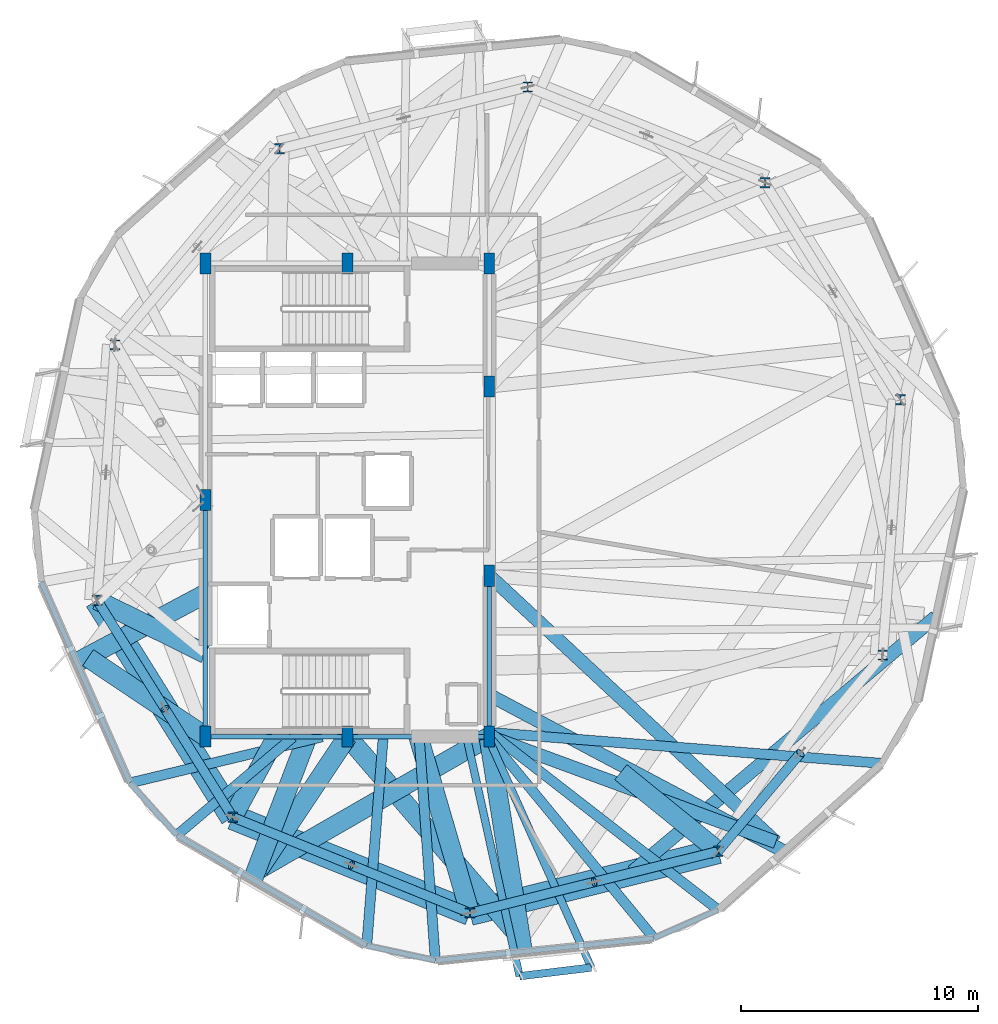
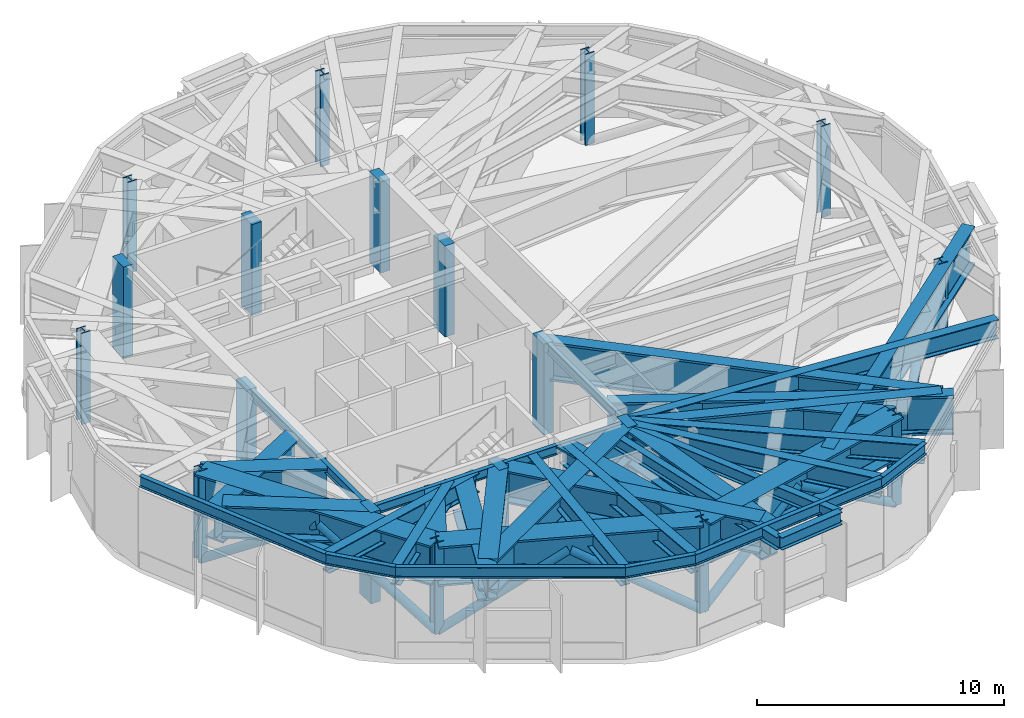
# One storey, part 1 of 14: 38 beams, 19 columns, 7 members.
"""IFC4 building model written with IfcOpenShell, lengths in metres."""

from ifc_helpers import new_model, si_unit, direction, frame, origin, origin_2d, place, context, subcontext, project, spatial, rectangle, hollow_circle, i_section, extrude, material, material_profile, profile_set, type_object, element, save


model = new_model("IFC4")

# Units and contexts
model_context = context("Model", 3, precision=1e-05, world=origin(), true_north=direction((0.0, 1.0)))
body_context = subcontext(model_context, "Body", "Model", "MODEL_VIEW")
ifc_project = project(units=[si_unit("LENGTHUNIT", "METRE"), si_unit("AREAUNIT", "SQUARE_METRE"), si_unit("VOLUMEUNIT", "CUBIC_METRE"), si_unit("PLANEANGLEUNIT", "RADIAN"), si_unit("MASSUNIT", "GRAM", prefix="KILO")], contexts=[model_context])

# Site, building, storey
site_placement = place(None, origin())
site = spatial("IfcSite", under=ifc_project, at=site_placement, CompositionType="ELEMENT")
building_placement = place(site_placement, origin())
building = spatial("IfcBuilding", under=site, at=building_placement, Name="Soratama Intermodal Tower", CompositionType="ELEMENT")
storey_placement = place(building_placement, frame((0.0, 0.0, 185.800048828125)))
storey = spatial("IfcBuildingStorey", under=building, at=storey_placement, Name="L46", CompositionType="ELEMENT", Elevation=185.800048828125)

# Columns
ifc_material_1 = material(Name="Structural steel ASTM A992 Grade 50", Category="steel")
ifc_material_profile_1 = material_profile(ifc_material_1, i_section(OverallWidth=0.412109375, OverallDepth=0.43505859375, WebThickness=0.035888671875, FlangeThickness=0.057373046875, FilletRadius=0.0380859375, at=origin_2d()), Name="W14X311")
ifc_profile_set_1 = profile_set([ifc_material_profile_1], Name="Structural steel ASTM A992 Grade 50")
column_type_1 = type_object("IfcColumnType", Name="COL-ZC-W14X311", PredefinedType="COLUMN", material=ifc_profile_set_1)
for number, where, z_axis, x_axis, name in (
    (1, (61.980224609375, 29.233642578125, 0.0), (0.0, 0.0, 1.0), (1.0, 0.0, 0.0), "L46 Tower Ring Column R01"),
    (2, (56.248779296875, 38.40576171875, 0.0), (0.0, 0.0, 1.0), (1.0, 0.0, 0.0), "L46 Tower Ring Column R02"),
    (3, (46.220703125, 42.45751953125, 0.0), (0.0, 0.0, 1.0), (1.0, 0.0, 0.0), "L46 Tower Ring Column R03"),
    (4, (35.726318359375, 39.8408203125, 0.0), (0.0, 0.0, 1.0), (1.0, 0.0, 0.0), "L46 Tower Ring Column R04"),
    (5, (28.7744140625, 31.5556640625, 0.0), (0.0, 0.0, 1.0), (1.0, 0.0, 0.0), "L46 Tower Ring Column R05"),
    (6, (28.019775390625, 20.766357421875, 0.0), (0.0, 0.0, 1.0), (1.0, 0.0, 0.0), "L46 Tower Ring Column R06"),
    (7, (33.751220703125, 11.59423828125, 0.0), (0.0, 0.0, 1.0), (1.0, 0.0, 0.0), "L46 Tower Ring Column R07"),
    (8, (43.779296875, 7.54248046875, 0.0), (0.0, 0.0, 1.0), (1.0, 0.0, 0.0), "L46 Tower Ring Column R08"),
    (9, (54.273681640625, 10.1591796875, 0.0), (0.0, 0.0, 1.0), (1.0, 0.0, 0.0), "L46 Tower Ring Column R09"),
    (10, (61.2255859375, 18.4443359375, 0.0), (0.0, 0.0, 1.0), (1.0, 0.0, 0.0), "L46 Tower Ring Column R10"),
):
    element("IfcColumn", number, at=place(storey_placement, frame(where, z_axis=z_axis, x_axis=x_axis)), inside=storey, type_object=column_type_1, Name=name, PredefinedType="COLUMN", context=body_context, shape_type="SweptSolid", body=[
        extrude(i_section(OverallWidth=0.412109375, OverallDepth=0.43505859375, WebThickness=0.035888671875, FlangeThickness=0.057373046875, FilletRadius=0.0380859375, at=origin_2d()), origin(), (0.0, 0.0, 1.0), 4.5),
    ])
ifc_material_2 = material(Name="Concrete f'c 56 MPa", Category="concrete")
ifc_material_profile_2 = material_profile(ifc_material_2, rectangle(XDim=0.449951171875, YDim=0.89990234375, at=origin_2d()), Name="RC450X900")
ifc_profile_set_2 = profile_set([ifc_material_profile_2], Name="Concrete f'c 56 MPa")
column_type_2 = type_object("IfcColumnType", Name="PIL-CORE-450X900", PredefinedType="PILASTER", material=ifc_profile_set_2)
for number, where, z_axis, x_axis, name in (
    (11, (32.60009765625, 15.0, 0.0), (0.0, 0.0, 1.0), (1.0, 0.0, 0.0), "L46 Core Pilaster 1"),
    (12, (32.60009765625, 25.0, 0.0), (0.0, 0.0, 1.0), (1.0, 0.0, 0.0), "L46 Core Pilaster 2"),
    (13, (32.60009765625, 35.0, 0.0), (0.0, 0.0, 1.0), (1.0, 0.0, 0.0), "L46 Core Pilaster 3"),
    (14, (38.60009765625, 15.0, 0.0), (0.0, 0.0, 1.0), (1.0, 0.0, 0.0), "L46 Core Pilaster 4"),
    (15, (38.60009765625, 35.0, 0.0), (0.0, 0.0, 1.0), (1.0, 0.0, 0.0), "L46 Core Pilaster 5"),
    (16, (44.60009765625, 15.0, 0.0), (0.0, 0.0, 1.0), (1.0, 0.0, 0.0), "L46 Core Pilaster 6"),
    (17, (44.60009765625, 21.800048828125, 0.0), (0.0, 0.0, 1.0), (1.0, 0.0, 0.0), "L46 Core Pilaster 7"),
    (18, (44.60009765625, 29.800048828125, 0.0), (0.0, 0.0, 1.0), (1.0, 0.0, 0.0), "L46 Core Pilaster 8"),
    (19, (44.60009765625, 35.0, 0.0), (0.0, 0.0, 1.0), (1.0, 0.0, 0.0), "L46 Core Pilaster 9"),
):
    element("IfcColumn", number, at=place(storey_placement, frame(where, z_axis=z_axis, x_axis=x_axis)), inside=storey, type_object=column_type_2, Name=name, PredefinedType="PILASTER", context=body_context, shape_type="SweptSolid", body=[
        extrude(rectangle(XDim=0.449951171875, YDim=0.89990234375, at=origin_2d()), origin(), (0.0, 0.0, 1.0), 4.5),
    ])

# Beams
ifc_material_3 = material(Name="Structural steel ASTM A992 Grade 50", Category="steel")
ifc_material_profile_3 = material_profile(ifc_material_3, i_section(OverallWidth=0.324951171875, OverallDepth=0.615966796875, WebThickness=0.013916015625, FlangeThickness=0.021484375, FilletRadius=0.013916015625, at=origin_2d()), Name="W24X117")
ifc_profile_set_3 = profile_set([ifc_material_profile_3], Name="Structural steel ASTM A992 Grade 50")
beam_type_1 = type_object("IfcBeamType", Name="BM-CANT-W24X117", PredefinedType="BEAM", material=ifc_profile_set_3)
beam_1_placement = place(storey_placement, frame((45.876953125, 4.873046875, 4.19189453125), z_axis=(0.992865481338, 0.119239825427, 0.0), x_axis=(-0.119239825427, 0.992865481338, 0.0)))
element("IfcBeam", 20, at=beam_1_placement, inside=storey, type_object=beam_type_1, Name="BM-L46-CBHDR-4", PredefinedType="BEAM", context=body_context, shape_type="SweptSolid", body=[
    extrude(i_section(OverallWidth=0.324951171875, OverallDepth=0.615966796875, WebThickness=0.013916015625, FlangeThickness=0.021484375, FilletRadius=0.013916015625, at=origin_2d()), origin(), (0.0, 0.0, 1.0), 3.052734375),
])
beam_2_placement = place(storey_placement, frame((43.64111328125, 14.9609375, 4.19189453125), z_axis=(0.216385034605, -0.976308105466, 0.0), x_axis=(0.976308105466, 0.216385034605, 0.0)))
element("IfcBeam", 21, at=beam_2_placement, inside=storey, type_object=beam_type_1, Name="BM-L46-CANT-4-1", PredefinedType="BEAM", context=body_context, shape_type="SweptSolid", body=[
    extrude(i_section(OverallWidth=0.324951171875, OverallDepth=0.615966796875, WebThickness=0.013916015625, FlangeThickness=0.021484375, FilletRadius=0.013916015625, at=origin_2d()), origin(), (0.0, 0.0, 1.0), 10.332763671875),
])
beam_3_placement = place(storey_placement, frame((44.5400390625, 14.964111328125, 4.19189453125), z_axis=(0.409642901617, -0.912245960887, 0.0), x_axis=(0.912245960887, 0.409642901617, 0.0)))
element("IfcBeam", 22, at=beam_3_placement, inside=storey, type_object=beam_type_1, Name="BM-L46-CANT-4-2", PredefinedType="BEAM", context=body_context, shape_type="SweptSolid", body=[
    extrude(i_section(OverallWidth=0.324951171875, OverallDepth=0.615966796875, WebThickness=0.013916015625, FlangeThickness=0.021484375, FilletRadius=0.013916015625, at=origin_2d()), origin(), (0.0, 0.0, 1.0), 10.662841796875),
])
ifc_material_4 = material(Name="Structural steel ASTM A992 Grade 50", Category="steel")
ifc_material_profile_4 = material_profile(ifc_material_4, i_section(OverallWidth=0.19091796875, OverallDepth=0.4599609375, WebThickness=0.010009765625, FlangeThickness=0.01611328125, FilletRadius=0.010986328125, at=origin_2d()), Name="W18X55")
ifc_profile_set_4 = profile_set([ifc_material_profile_4], Name="Structural steel ASTM A992 Grade 50")
beam_type_2 = type_object("IfcBeamType", Name="BM-FLR-W18X55", PredefinedType="BEAM", material=ifc_profile_set_4)
for number, where, z_axis, x_axis, name in (
    (23, (32.60009765625, 15.0, 4.27001953125), (1.0, 0.0, 0.0), (0.0, 1.0, 0.0), "BM-L46-CRING-01"),
    (24, (38.60009765625, 15.0, 4.27001953125), (1.0, 0.0, 0.0), (0.0, 1.0, 0.0), "BM-L46-CRING-02"),
):
    element("IfcBeam", number, at=place(storey_placement, frame(where, z_axis=z_axis, x_axis=x_axis)), inside=storey, type_object=beam_type_2, Name=name, PredefinedType="BEAM", context=body_context, shape_type="SweptSolid", body=[
        extrude(i_section(OverallWidth=0.19091796875, OverallDepth=0.4599609375, WebThickness=0.010009765625, FlangeThickness=0.01611328125, FilletRadius=0.010986328125, at=origin_2d()), origin(), (0.0, 0.0, 1.0), 6.0),
    ])
beam_4_placement = place(storey_placement, frame((44.60009765625, 15.0, 4.27001953125), z_axis=(0.0, 1.0, 0.0), x_axis=(-1.0, 0.0, 0.0)))
element("IfcBeam", 25, at=beam_4_placement, inside=storey, type_object=beam_type_2, Name="BM-L46-CRING-03", PredefinedType="BEAM", context=body_context, shape_type="SweptSolid", body=[
    extrude(i_section(OverallWidth=0.19091796875, OverallDepth=0.4599609375, WebThickness=0.010009765625, FlangeThickness=0.01611328125, FilletRadius=0.010986328125, at=origin_2d()), origin(), (0.0, 0.0, 1.0), 6.800048828125),
])
beam_5_placement = place(storey_placement, frame((32.60009765625, 25.0, 4.27001953125), z_axis=(0.0, -1.0, 0.0), x_axis=(1.0, 0.0, 0.0)))
element("IfcBeam", 26, at=beam_5_placement, inside=storey, type_object=beam_type_2, Name="BM-L46-CRING-09", PredefinedType="BEAM", context=body_context, shape_type="SweptSolid", body=[
    extrude(i_section(OverallWidth=0.19091796875, OverallDepth=0.4599609375, WebThickness=0.010009765625, FlangeThickness=0.01611328125, FilletRadius=0.010986328125, at=origin_2d()), origin(), (0.0, 0.0, 1.0), 10.0),
])
ifc_material_5 = material(Name="Structural steel ASTM A992 Grade 50", Category="steel")
ifc_material_profile_5 = material_profile(ifc_material_5, i_section(OverallWidth=0.423095703125, OverallDepth=0.93896484375, WebThickness=0.02392578125, FlangeThickness=0.042724609375, FilletRadius=0.02392578125, at=origin_2d()), Name="W36X302")
ifc_profile_set_5 = profile_set([ifc_material_profile_5], Name="Structural steel ASTM A992 Grade 50")
beam_type_3 = type_object("IfcBeamType", Name="BM-POD-W36X302", PredefinedType="BEAM", material=ifc_profile_set_5)
beam_6_placement = place(storey_placement, frame((37.534912109375, 14.990966796875, 4.030517578125), z_axis=(-0.972415143921, -0.23325691388, 0.0), x_axis=(0.23325691388, -0.972415143921, 0.0)))
element("IfcBeam", 27, at=beam_6_placement, inside=storey, type_object=beam_type_3, Name="BM-L46-TIE1-05", PredefinedType="BEAM", context=body_context, shape_type="SweptSolid", body=[
    extrude(i_section(OverallWidth=0.423095703125, OverallDepth=0.93896484375, WebThickness=0.02392578125, FlangeThickness=0.042724609375, FilletRadius=0.02392578125, at=origin_2d()), origin(), (0.0, 0.0, 1.0), 8.35546875),
])
beam_7_placement = place(storey_placement, frame((36.300048828125, 14.97412109375, 4.030517578125), z_axis=(-0.764408504202, -0.64473222248, 0.0), x_axis=(0.64473222248, -0.764408504202, 0.0)))
element("IfcBeam", 28, at=beam_7_placement, inside=storey, type_object=beam_type_3, Name="BM-L46-TIE0-06", PredefinedType="BEAM", context=body_context, shape_type="SweptSolid", body=[
    extrude(i_section(OverallWidth=0.423095703125, OverallDepth=0.93896484375, WebThickness=0.02392578125, FlangeThickness=0.042724609375, FilletRadius=0.02392578125, at=origin_2d()), origin(), (0.0, 0.0, 1.0), 6.426025390625),
])
beam_8_placement = place(storey_placement, frame((40.110107421875, 14.9599609375, 4.030517578125), z_axis=(-0.078648946861, -0.996902373935, 0.0), x_axis=(0.996902373935, -0.078648946861, 0.0)))
element("IfcBeam", 29, at=beam_8_placement, inside=storey, type_object=beam_type_3, Name="BM-L46-TIE1-06", PredefinedType="BEAM", context=body_context, shape_type="SweptSolid", body=[
    extrude(i_section(OverallWidth=0.423095703125, OverallDepth=0.93896484375, WebThickness=0.02392578125, FlangeThickness=0.042724609375, FilletRadius=0.02392578125, at=origin_2d()), origin(), (0.0, 0.0, 1.0), 8.8251953125),
])
beam_9_placement = place(storey_placement, frame((41.632080078125, 14.9599609375, 4.030517578125), z_axis=(0.072372602764, -0.997377664864, 0.0), x_axis=(0.997377664864, 0.072372602764, 0.0)))
element("IfcBeam", 30, at=beam_9_placement, inside=storey, type_object=beam_type_3, Name="BM-L46-TIE0-07", PredefinedType="BEAM", context=body_context, shape_type="SweptSolid", body=[
    extrude(i_section(OverallWidth=0.423095703125, OverallDepth=0.93896484375, WebThickness=0.02392578125, FlangeThickness=0.042724609375, FilletRadius=0.02392578125, at=origin_2d()), origin(), (0.0, 0.0, 1.0), 9.44873046875),
])
beam_10_placement = place(storey_placement, frame((44.55810546875, 14.968994140625, 4.030517578125), z_axis=(0.635991086369, -0.771696402778, 0.0), x_axis=(0.771696402778, 0.635991086369, 0.0)))
element("IfcBeam", 31, at=beam_10_placement, inside=storey, type_object=beam_type_3, Name="BM-L46-TIE1-07", PredefinedType="BEAM", context=body_context, shape_type="SweptSolid", body=[
    extrude(i_section(OverallWidth=0.423095703125, OverallDepth=0.93896484375, WebThickness=0.02392578125, FlangeThickness=0.042724609375, FilletRadius=0.02392578125, at=origin_2d()), origin(), (0.0, 0.0, 1.0), 11.0029296875),
])
beam_11_placement = place(storey_placement, frame((44.632080078125, 15.1650390625, 4.030517578125), z_axis=(0.78963647515, -0.613574964542, 0.0), x_axis=(0.613574964542, 0.78963647515, 0.0)))
element("IfcBeam", 32, at=beam_11_placement, inside=storey, type_object=beam_type_3, Name="BM-L46-TIE0-08", PredefinedType="BEAM", context=body_context, shape_type="SweptSolid", body=[
    extrude(i_section(OverallWidth=0.423095703125, OverallDepth=0.93896484375, WebThickness=0.02392578125, FlangeThickness=0.042724609375, FilletRadius=0.02392578125, at=origin_2d()), origin(), (0.0, 0.0, 1.0), 12.20556640625),
])
beam_12_placement = place(storey_placement, frame((44.639892578125, 15.174072265625, 4.030517578125), z_axis=(0.996900546746, -0.078672103685, 0.0), x_axis=(0.078672103685, 0.996900546746, 0.0)))
element("IfcBeam", 33, at=beam_12_placement, inside=storey, type_object=beam_type_3, Name="BM-L46-TIE1-08", PredefinedType="BEAM", context=body_context, shape_type="SweptSolid", body=[
    extrude(i_section(OverallWidth=0.423095703125, OverallDepth=0.93896484375, WebThickness=0.02392578125, FlangeThickness=0.042724609375, FilletRadius=0.02392578125, at=origin_2d()), origin(), (0.0, 0.0, 1.0), 16.6025390625),
])
ifc_material_6 = material(Name="Structural steel ASTM A992 Grade 50", Category="steel")
ifc_material_profile_6 = material_profile(ifc_material_6, i_section(OverallWidth=0.2099609375, OverallDepth=0.537109375, WebThickness=0.010986328125, FlangeThickness=0.017333984375, FilletRadius=0.012939453125, at=origin_2d()), Name="W21X68")
ifc_profile_set_6 = profile_set([ifc_material_profile_6], Name="Structural steel ASTM A992 Grade 50")
beam_type_4 = type_object("IfcBeamType", Name="BM-SPN-W21X68", PredefinedType="SPANDREL", material=ifc_profile_set_6)
beam_13_placement = place(storey_placement, frame((25.658935546875, 21.5380859375, 4.2314453125), z_axis=(0.403883538706, -0.914810410502, 0.0), x_axis=(0.914810410502, 0.403883538706, 0.0)))
element("IfcBeam", 34, at=beam_13_placement, inside=storey, type_object=beam_type_4, Name="BS-L46-F05", PredefinedType="SPANDREL", context=body_context, shape_type="SweptSolid", body=[
    extrude(i_section(OverallWidth=0.2099609375, OverallDepth=0.537109375, WebThickness=0.010986328125, FlangeThickness=0.017333984375, FilletRadius=0.012939453125, at=origin_2d()), origin(), (0.0, 0.0, 1.0), 9.287353515625),
])
beam_14_placement = place(storey_placement, frame((29.409912109375, 13.0419921875, 4.2314453125), z_axis=(0.666761180785, -0.745271445715, 0.0), x_axis=(0.745271445715, 0.666761180785, 0.0)))
element("IfcBeam", 35, at=beam_14_placement, inside=storey, type_object=beam_type_4, Name="BS-L46-CRN05", PredefinedType="SPANDREL", context=body_context, shape_type="SweptSolid", body=[
    extrude(i_section(OverallWidth=0.2099609375, OverallDepth=0.537109375, WebThickness=0.010986328125, FlangeThickness=0.017333984375, FilletRadius=0.012939453125, at=origin_2d()), origin(), (0.0, 0.0, 1.0), 2.966552734375),
])
beam_15_placement = place(storey_placement, frame((31.387939453125, 10.8310546875, 4.2314453125), z_axis=(0.864438907702, -0.50273787887, 0.0), x_axis=(0.50273787887, 0.864438907702, 0.0)))
element("IfcBeam", 36, at=beam_15_placement, inside=storey, type_object=beam_type_4, Name="BS-L46-F06", PredefinedType="SPANDREL", context=body_context, shape_type="SweptSolid", body=[
    extrude(i_section(OverallWidth=0.2099609375, OverallDepth=0.537109375, WebThickness=0.010986328125, FlangeThickness=0.017333984375, FilletRadius=0.012939453125, at=origin_2d()), origin(), (0.0, 0.0, 1.0), 9.287109375),
])
beam_16_placement = place(storey_placement, frame((39.416015625, 6.162109375, 4.2314453125), z_axis=(0.977468802894, -0.211079935968, 0.0), x_axis=(0.211079935968, 0.977468802894, 0.0)))
element("IfcBeam", 37, at=beam_16_placement, inside=storey, type_object=beam_type_4, Name="BS-L46-CRN06", PredefinedType="SPANDREL", context=body_context, shape_type="SweptSolid", body=[
    extrude(i_section(OverallWidth=0.2099609375, OverallDepth=0.537109375, WebThickness=0.010986328125, FlangeThickness=0.017333984375, FilletRadius=0.012939453125, at=origin_2d()), origin(), (0.0, 0.0, 1.0), 2.966796875),
])
beam_17_placement = place(storey_placement, frame((42.31591796875, 5.535888671875, 4.2314453125), z_axis=(0.994841940846, 0.101437235441, 0.0), x_axis=(-0.101437235441, 0.994841940846, 0.0)))
element("IfcBeam", 38, at=beam_17_placement, inside=storey, type_object=beam_type_4, Name="BS-L46-F07", PredefinedType="SPANDREL", context=body_context, shape_type="SweptSolid", body=[
    extrude(i_section(OverallWidth=0.2099609375, OverallDepth=0.537109375, WebThickness=0.010986328125, FlangeThickness=0.017333984375, FilletRadius=0.012939453125, at=origin_2d()), origin(), (0.0, 0.0, 1.0), 9.287841796875),
])
beam_18_placement = place(storey_placement, frame((51.555908203125, 6.47802734375, 4.2314453125), z_axis=(0.914843597904, 0.403808359712, 0.0), x_axis=(-0.403808359712, 0.914843597904, 0.0)))
element("IfcBeam", 39, at=beam_18_placement, inside=storey, type_object=beam_type_4, Name="BS-L46-CRN07", PredefinedType="SPANDREL", context=body_context, shape_type="SweptSolid", body=[
    extrude(i_section(OverallWidth=0.2099609375, OverallDepth=0.537109375, WebThickness=0.010986328125, FlangeThickness=0.017333984375, FilletRadius=0.012939453125, at=origin_2d()), origin(), (0.0, 0.0, 1.0), 2.966796875),
])
ifc_material_7 = material(Name="Structural steel ASTM A992 Grade 50", Category="steel")
ifc_material_profile_7 = material_profile(ifc_material_7, i_section(OverallWidth=0.56005859375, OverallDepth=1.919921875, WebThickness=0.05810546875, FlangeThickness=0.110107421875, FilletRadius=0.02392578125, at=origin_2d()), Name="PG2150X720")
ifc_profile_set_7 = profile_set([ifc_material_profile_7], Name="Structural steel ASTM A992 Grade 50")
beam_type_5 = type_object("IfcBeamType", Name="BM-ZSTEP-LONG", PredefinedType="BEAM", material=ifc_profile_set_7)
beam_19_placement = place(storey_placement, frame((44.60009765625, 15.0, 3.5400390625), z_axis=(0.938460043872, -0.345387819785, 0.0), x_axis=(0.345387819785, 0.938460043872, 0.0)))
element("IfcBeam", 40, at=beam_19_placement, inside=storey, type_object=beam_type_5, Name="BM-L46-ZSTEP-A09", PredefinedType="BEAM", context=body_context, shape_type="SweptSolid", body=[
    extrude(i_section(OverallWidth=0.56005859375, OverallDepth=1.919921875, WebThickness=0.05810546875, FlangeThickness=0.110107421875, FilletRadius=0.02392578125, at=origin_2d()), origin(), (0.0, 0.0, 1.0), 12.898681640625),
])
beam_20_placement = place(storey_placement, frame((56.705078125, 10.544921875, 3.5400390625), z_axis=(-0.732347226832, 0.68093137639, 0.0), x_axis=(-0.68093137639, -0.732347226832, 0.0)))
element("IfcBeam", 41, at=beam_20_placement, inside=storey, type_object=beam_type_5, Name="BM-L46-ZSTEP-B09", PredefinedType="BEAM", context=body_context, shape_type="SweptSolid", body=[
    extrude(i_section(OverallWidth=0.56005859375, OverallDepth=1.919921875, WebThickness=0.05810546875, FlangeThickness=0.110107421875, FilletRadius=0.02392578125, at=origin_2d()), origin(), (0.0, 0.0, 1.0), 16.529052734375),
])
beam_21_placement = place(storey_placement, frame((44.675048828125, 16.717041015625, 3.5400390625), z_axis=(0.883275322498, -0.46885467329, 0.0), x_axis=(0.46885467329, 0.883275322498, 0.0)))
element("IfcBeam", 42, at=beam_21_placement, inside=storey, type_object=beam_type_5, Name="BM-L46-ZCHORD-09", PredefinedType="BEAM", context=body_context, shape_type="SweptSolid", body=[
    extrude(i_section(OverallWidth=0.56005859375, OverallDepth=1.919921875, WebThickness=0.05810546875, FlangeThickness=0.110107421875, FilletRadius=0.02392578125, at=origin_2d()), origin(), (0.0, 0.0, 1.0), 13.997802734375),
])
beam_22_placement = place(storey_placement, frame((50.64599609375, 9.29296875, 3.5400390625), z_axis=(0.765584508906, 0.643335340024, 0.0), x_axis=(-0.643335340024, 0.765584508906, 0.0)))
element("IfcBeam", 43, at=beam_22_placement, inside=storey, type_object=beam_type_5, Name="BM-L46-ZCHORD-10", PredefinedType="BEAM", context=body_context, shape_type="SweptSolid", body=[
    extrude(i_section(OverallWidth=0.56005859375, OverallDepth=1.919921875, WebThickness=0.05810546875, FlangeThickness=0.110107421875, FilletRadius=0.02392578125, at=origin_2d()), origin(), (0.0, 0.0, 1.0), 16.745361328125),
])
ifc_material_8 = material(Name="Structural steel ASTM A992 Grade 50", Category="steel")
ifc_material_profile_8 = material_profile(ifc_material_8, i_section(OverallWidth=0.820068359375, OverallDepth=1.699951171875, WebThickness=0.053955078125, FlangeThickness=0.087890625, FilletRadius=0.02392578125, at=origin_2d()), Name="PG1580X800")
ifc_profile_set_8 = profile_set([ifc_material_profile_8], Name="Structural steel ASTM A992 Grade 50")
beam_type_6 = type_object("IfcBeamType", Name="BM-ZSTEP-PG1580", PredefinedType="BEAM", material=ifc_profile_set_8)
beam_23_placement = place(storey_placement, frame((32.52490234375, 20.9951171875, 3.64990234375), z_axis=(-0.882636302033, -0.470056548018, 0.0), x_axis=(0.470056548018, -0.882636302033, 0.0)))
element("IfcBeam", 44, at=beam_23_placement, inside=storey, type_object=beam_type_6, Name="BM-L46-ZCHORD-06", PredefinedType="BEAM", context=body_context, shape_type="SweptSolid", body=[
    extrude(i_section(OverallWidth=0.820068359375, OverallDepth=1.699951171875, WebThickness=0.053955078125, FlangeThickness=0.087890625, FilletRadius=0.02392578125, at=origin_2d()), origin(), (0.0, 0.0, 1.0), 6.078369140625),
])
beam_24_placement = place(storey_placement, frame((36.883056640625, 14.9208984375, 3.64990234375), z_axis=(-0.357673537608, -0.933846690038, 0.0), x_axis=(0.933846690038, -0.357673537608, 0.0)))
element("IfcBeam", 45, at=beam_24_placement, inside=storey, type_object=beam_type_6, Name="BM-L46-ZCHORD-07", PredefinedType="BEAM", context=body_context, shape_type="SweptSolid", body=[
    extrude(i_section(OverallWidth=0.820068359375, OverallDepth=1.699951171875, WebThickness=0.053955078125, FlangeThickness=0.087890625, FilletRadius=0.02392578125, at=origin_2d()), origin(), (0.0, 0.0, 1.0), 6.380126953125),
])
beam_25_placement = place(storey_placement, frame((44.5810546875, 14.916015625, 3.64990234375), z_axis=(0.157072306448, -0.987587105296, 0.0), x_axis=(0.987587105296, 0.157072306448, 0.0)))
element("IfcBeam", 46, at=beam_25_placement, inside=storey, type_object=beam_type_6, Name="BM-L46-ZCHORD-08", PredefinedType="BEAM", context=body_context, shape_type="SweptSolid", body=[
    extrude(i_section(OverallWidth=0.820068359375, OverallDepth=1.699951171875, WebThickness=0.053955078125, FlangeThickness=0.087890625, FilletRadius=0.02392578125, at=origin_2d()), origin(), (0.0, 0.0, 1.0), 9.115966796875),
])
beam_26_placement = place(storey_placement, frame((32.60009765625, 18.5, 3.64990234375), z_axis=(-0.89629219718, 0.443463975172, 0.0), x_axis=(-0.443463975172, -0.89629219718, 0.0)))
element("IfcBeam", 47, at=beam_26_placement, inside=storey, type_object=beam_type_6, Name="BM-L46-RAD-06", PredefinedType="BEAM", context=body_context, shape_type="SweptSolid", body=[
    extrude(i_section(OverallWidth=0.820068359375, OverallDepth=1.699951171875, WebThickness=0.053955078125, FlangeThickness=0.087890625, FilletRadius=0.02392578125, at=origin_2d()), origin(), (0.0, 0.0, 1.0), 5.110107421875),
])
beam_27_placement = place(storey_placement, frame((35.60009765625, 15.0, 3.64990234375), z_axis=(-0.477121056227, -0.878837583234, 0.0), x_axis=(0.878837583234, -0.477121056227, 0.0)))
element("IfcBeam", 48, at=beam_27_placement, inside=storey, type_object=beam_type_6, Name="BM-L46-RAD-07", PredefinedType="BEAM", context=body_context, shape_type="SweptSolid", body=[
    extrude(i_section(OverallWidth=0.820068359375, OverallDepth=1.699951171875, WebThickness=0.053955078125, FlangeThickness=0.087890625, FilletRadius=0.02392578125, at=origin_2d()), origin(), (0.0, 0.0, 1.0), 3.87548828125),
])
beam_28_placement = place(storey_placement, frame((41.60009765625, 15.0, 3.64990234375), z_axis=(0.280473008484, -0.959861912731, 0.0), x_axis=(0.959861912731, 0.280473008484, 0.0)))
element("IfcBeam", 49, at=beam_28_placement, inside=storey, type_object=beam_type_6, Name="BM-L46-RAD-08", PredefinedType="BEAM", context=body_context, shape_type="SweptSolid", body=[
    extrude(i_section(OverallWidth=0.820068359375, OverallDepth=1.699951171875, WebThickness=0.053955078125, FlangeThickness=0.087890625, FilletRadius=0.02392578125, at=origin_2d()), origin(), (0.0, 0.0, 1.0), 7.768798828125),
])
beam_29_placement = place(storey_placement, frame((50.157958984375, 13.4951171875, 3.64990234375), z_axis=(0.776856265094, -0.629677968, 0.0), x_axis=(0.629677968, 0.776856265094, 0.0)))
element("IfcBeam", 50, at=beam_29_placement, inside=storey, type_object=beam_type_6, Name="BM-L46-RAD-09", PredefinedType="BEAM", context=body_context, shape_type="SweptSolid", body=[
    extrude(i_section(OverallWidth=0.820068359375, OverallDepth=1.699951171875, WebThickness=0.053955078125, FlangeThickness=0.087890625, FilletRadius=0.02392578125, at=origin_2d()), origin(), (0.0, 0.0, 1.0), 5.29833984375),
])
ifc_material_9 = material(Name="Structural steel ASTM A992 Grade 50", Category="steel")
ifc_material_profile_9 = material_profile(ifc_material_9, i_section(OverallWidth=0.820068359375, OverallDepth=1.60205078125, WebThickness=0.055908203125, FlangeThickness=0.092041015625, FilletRadius=0.02392578125, at=origin_2d()), Name="PG1600X650")
ifc_profile_set_9 = profile_set([ifc_material_profile_9], Name="Structural steel ASTM A992 Grade 50")
beam_type_7 = type_object("IfcBeamType", Name="BM-ZSTEP-PG1600", PredefinedType="BEAM", material=ifc_profile_set_9)
beam_30_placement = place(storey_placement, frame((32.60009765625, 15.0, 3.698974609375), z_axis=(-0.830199269263, 0.557466746376, 0.0), x_axis=(-0.557466746376, -0.830199269263, 0.0)))
element("IfcBeam", 51, at=beam_30_placement, inside=storey, type_object=beam_type_7, Name="BM-L46-ZSTEP-A06", PredefinedType="BEAM", context=body_context, shape_type="SweptSolid", body=[
    extrude(i_section(OverallWidth=0.820068359375, OverallDepth=1.60205078125, WebThickness=0.055908203125, FlangeThickness=0.092041015625, FilletRadius=0.02392578125, at=origin_2d()), origin(), (0.0, 0.0, 1.0), 5.980712890625),
])
beam_31_placement = place(storey_placement, frame((38.60009765625, 15.0, 3.698974609375), z_axis=(-0.55441543873, -0.832240062301, 0.0), x_axis=(0.832240062301, -0.55441543873, 0.0)))
element("IfcBeam", 52, at=beam_31_placement, inside=storey, type_object=beam_type_7, Name="BM-L46-ZSTEP-A07", PredefinedType="BEAM", context=body_context, shape_type="SweptSolid", body=[
    extrude(i_section(OverallWidth=0.820068359375, OverallDepth=1.60205078125, WebThickness=0.055908203125, FlangeThickness=0.092041015625, FilletRadius=0.02392578125, at=origin_2d()), origin(), (0.0, 0.0, 1.0), 6.727783203125),
])
beam_32_placement = place(storey_placement, frame((34.8701171875, 9.40087890625, 3.698974609375), z_axis=(0.866737562257, 0.498764471642, 0.0), x_axis=(-0.498764471642, 0.866737562257, 0.0)))
element("IfcBeam", 53, at=beam_32_placement, inside=storey, type_object=beam_type_7, Name="BM-L46-ZSTEP-B07", PredefinedType="BEAM", context=body_context, shape_type="SweptSolid", body=[
    extrude(i_section(OverallWidth=0.820068359375, OverallDepth=1.60205078125, WebThickness=0.055908203125, FlangeThickness=0.092041015625, FilletRadius=0.02392578125, at=origin_2d()), origin(), (0.0, 0.0, 1.0), 11.22607421875),
])
beam_33_placement = place(storey_placement, frame((38.60009765625, 15.0, 3.698974609375), z_axis=(0.651997815361, -0.758220844322, 0.0), x_axis=(0.758220844322, 0.651997815361, 0.0)))
element("IfcBeam", 54, at=beam_33_placement, inside=storey, type_object=beam_type_7, Name="BM-L46-ZSTEP-A08", PredefinedType="BEAM", context=body_context, shape_type="SweptSolid", body=[
    extrude(i_section(OverallWidth=0.820068359375, OverallDepth=1.60205078125, WebThickness=0.055908203125, FlangeThickness=0.092041015625, FilletRadius=0.02392578125, at=origin_2d()), origin(), (0.0, 0.0, 1.0), 11.30810546875),
])
ifc_material_10 = material(Name="Structural steel ASTM A992 Grade 50", Category="steel")
ifc_material_profile_10 = material_profile(ifc_material_10, i_section(OverallWidth=1.06005859375, OverallDepth=1.9599609375, WebThickness=0.05810546875, FlangeThickness=0.095947265625, FilletRadius=0.02392578125, at=origin_2d()), Name="PG2400X900")
ifc_profile_set_10 = profile_set([ifc_material_profile_10], Name="Structural steel ASTM A992 Grade 50")
beam_type_8 = type_object("IfcBeamType", Name="BM-ZSTEP-PG2400", PredefinedType="BEAM", material=ifc_profile_set_10)
for number, where, z_axis, x_axis, name in (
    (55, (28.02001953125, 20.76611328125, 3.52001953125), (0.529891394359, -0.84806551055, 0.0), (0.84806551055, 0.529891394359, 0.0), "BM-L46-RING-06"),
    (56, (33.7509765625, 11.593994140625, 3.52001953125), (0.927202491827, -0.374560461275, 0.0), (0.374560461275, 0.927202491827, 0.0), "BM-L46-RING-07"),
):
    element("IfcBeam", number, at=place(storey_placement, frame(where, z_axis=z_axis, x_axis=x_axis)), inside=storey, type_object=beam_type_8, Name=name, PredefinedType="BEAM", context=body_context, shape_type="SweptSolid", body=[
        extrude(i_section(OverallWidth=1.06005859375, OverallDepth=1.9599609375, WebThickness=0.05810546875, FlangeThickness=0.095947265625, FilletRadius=0.02392578125, at=origin_2d()), origin(), (0.0, 0.0, 1.0), 10.8154296875),
    ])
beam_34_placement = place(storey_placement, frame((43.779052734375, 7.54296875, 3.52001953125), z_axis=(0.970310893227, 0.241861056155, 0.0), x_axis=(-0.241861056155, 0.970310893227, 0.0)))
element("IfcBeam", 57, at=beam_34_placement, inside=storey, type_object=beam_type_8, Name="BM-L46-RING-08", PredefinedType="BEAM", context=body_context, shape_type="SweptSolid", body=[
    extrude(i_section(OverallWidth=1.06005859375, OverallDepth=1.9599609375, WebThickness=0.05810546875, FlangeThickness=0.095947265625, FilletRadius=0.02392578125, at=origin_2d()), origin(), (0.0, 0.0, 1.0), 10.81591796875),
])

# Members
ifc_material_11 = material(Name="Structural steel ASTM A500 Grade C", Category="steel")
ifc_material_profile_11 = material_profile(ifc_material_11, hollow_circle(Radius=0.203125, WallThickness=0.01611328125, at=origin_2d()), Name="CHS406X16")
ifc_profile_set_11 = profile_set([ifc_material_profile_11], Name="Structural steel ASTM A500 Grade C")
member_type = type_object("IfcMemberType", Name="MB-BLT-CHS406", PredefinedType="BRACE", material=ifc_profile_set_11)
for number, where, z_axis, x_axis, name in (
    (58, (28.019775390625, 20.766357421875, 0.010009765625), (0.444507246172, -0.711332774927, 0.544443744949), (0.848038882979, 0.529934008114, 0.0), "L46 Belt Truss Brace A 06"),
    (59, (33.751220703125, 11.59423828125, 0.010009765625), (-0.444495272416, 0.711351481712, 0.544429079189), (-0.84805156085, -0.529913719524, 0.0), "L46 Belt Truss Brace B 06"),
    (60, (33.751220703125, 11.59423828125, 0.010009765625), (0.777713994893, -0.31423629204, 0.544441452236), (0.374626518988, 0.927175803864, 0.0), "L46 Belt Truss Brace A 07"),
):
    element("IfcMember", number, at=place(storey_placement, frame(where, z_axis=z_axis, x_axis=x_axis)), inside=storey, type_object=member_type, Name=name, PredefinedType="BRACE", context=body_context, shape_type="SweptSolid", body=[
        extrude(hollow_circle(Radius=0.203125, WallThickness=0.01611328125, at=origin_2d()), origin(), (0.0, 0.0, 1.0), 6.447021484375),
    ])
member_1_placement = place(storey_placement, frame((43.779296875, 7.54248046875, 0.010009765625), z_axis=(-0.77772895855, 0.314227037591, 0.544425418106), x_axis=(-0.37461083816, -0.927182139568, 0.0)))
element("IfcMember", 61, at=member_1_placement, inside=storey, type_object=member_type, Name="L46 Belt Truss Brace B 07", PredefinedType="BRACE", context=body_context, shape_type="SweptSolid", body=[
    extrude(hollow_circle(Radius=0.203125, WallThickness=0.01611328125, at=origin_2d()), origin(), (0.0, 0.0, 1.0), 6.447265625),
])
member_2_placement = place(storey_placement, frame((43.779296875, 7.54248046875, 0.010009765625), z_axis=(0.813878945843, 0.202939571504, 0.544441541243), x_axis=(-0.241940706404, 0.970291036022, 0.0)))
element("IfcMember", 62, at=member_2_placement, inside=storey, type_object=member_type, Name="L46 Belt Truss Brace A 08", PredefinedType="BRACE", context=body_context, shape_type="SweptSolid", body=[
    extrude(hollow_circle(Radius=0.203125, WallThickness=0.01611328125, at=origin_2d()), origin(), (0.0, 0.0, 1.0), 6.447021484375),
])
member_3_placement = place(storey_placement, frame((54.273681640625, 10.1591796875, 0.010009765625), z_axis=(-0.813891729842, -0.202933316904, 0.544424761547), x_axis=(0.241930108556, -0.970293678519, 0.0)))
element("IfcMember", 63, at=member_3_placement, inside=storey, type_object=member_type, Name="L46 Belt Truss Brace B 08", PredefinedType="BRACE", context=body_context, shape_type="SweptSolid", body=[
    extrude(hollow_circle(Radius=0.203125, WallThickness=0.01611328125, at=origin_2d()), origin(), (0.0, 0.0, 1.0), 6.447265625),
])
member_4_placement = place(storey_placement, frame((54.273681640625, 10.1591796875, 0.010009765625), z_axis=(0.539174388277, 0.642555908153, 0.544438135993), x_axis=(-0.766040942785, 0.642791781199, 0.0)))
element("IfcMember", 64, at=member_4_placement, inside=storey, type_object=member_type, Name="L46 Belt Truss Brace A 09", PredefinedType="BRACE", context=body_context, shape_type="SweptSolid", body=[
    extrude(hollow_circle(Radius=0.203125, WallThickness=0.01611328125, at=origin_2d()), origin(), (0.0, 0.0, 1.0), 6.447021484375),
])

save(model, "model.ifc")
